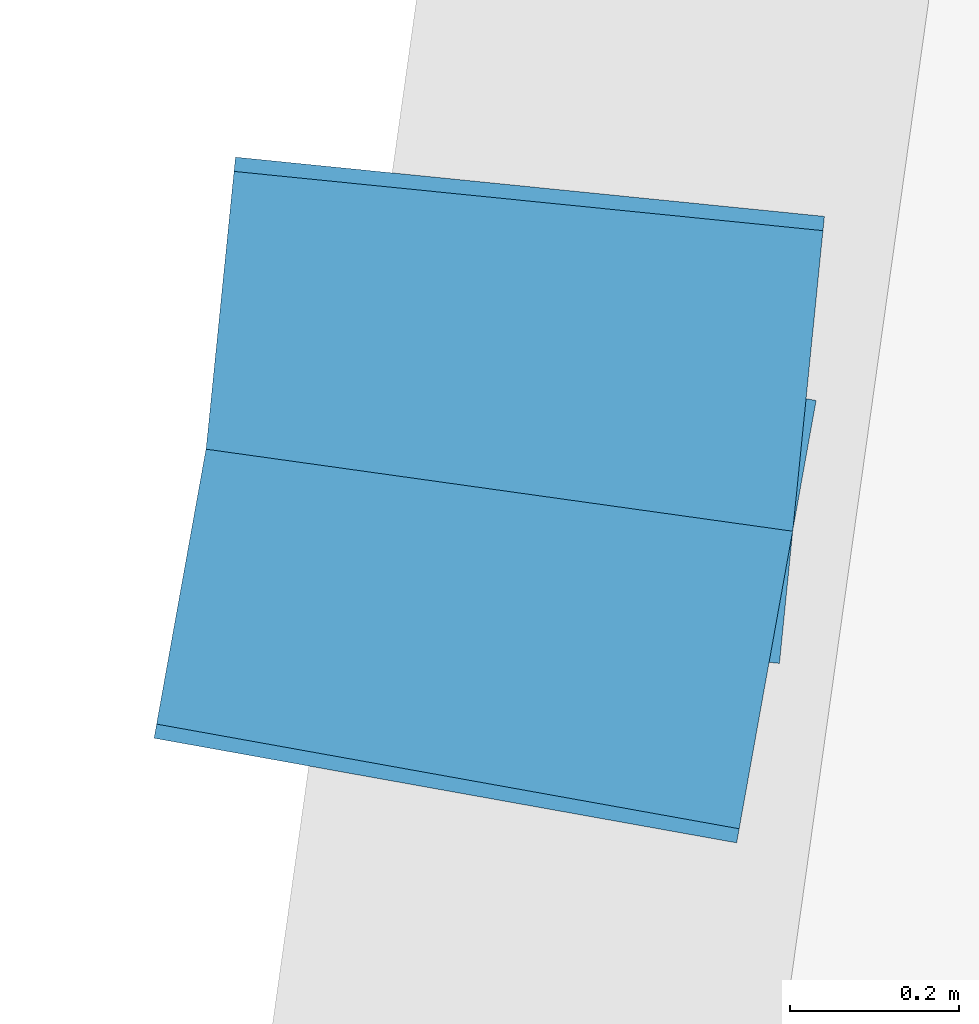
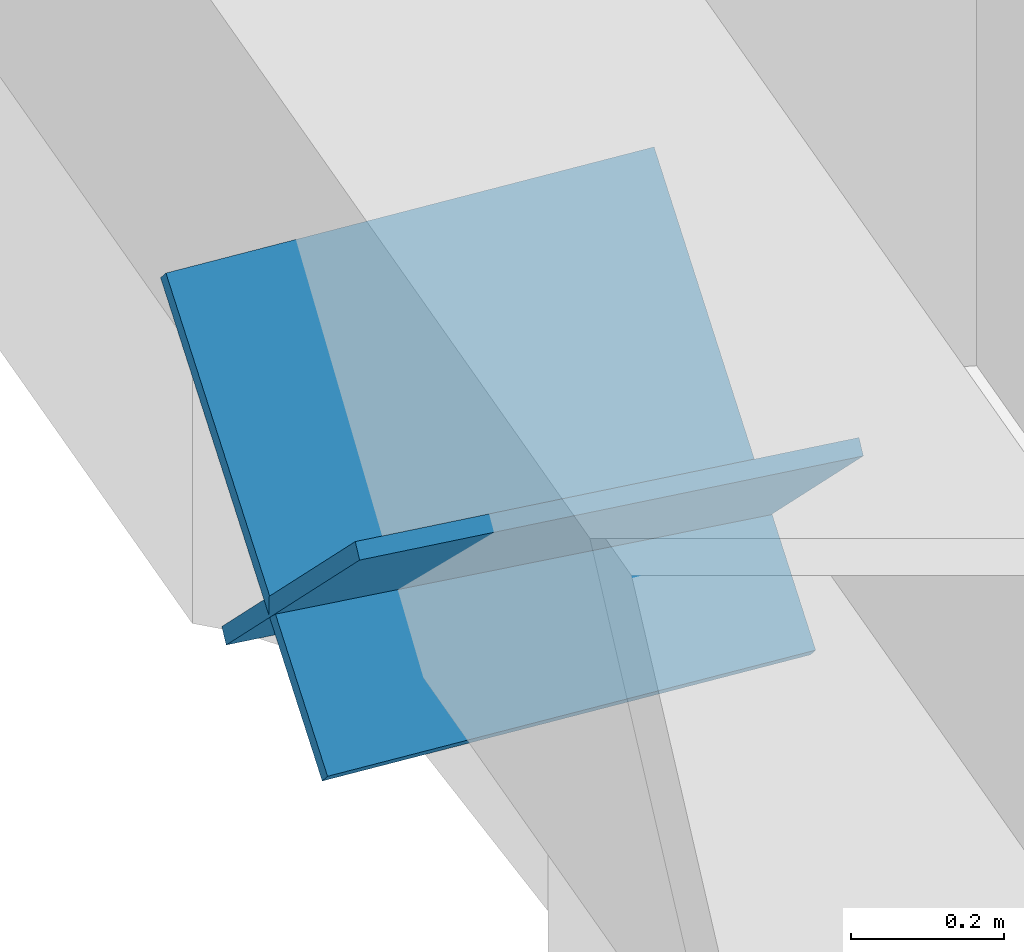
# One storey, part 24 of 29: 2 discrete accessories.
"""IFC4 building model written with IfcOpenShell, lengths in metres."""

from ifc_helpers import new_model, si_unit, direction, frame, origin, origin_2d, place, context, subcontext, project, spatial, rectangle, extrude, material, material_profile, profile_set, type_object, element, save


model = new_model("IFC4")

# Units and contexts
model_context = context("Model", 3, precision=1e-05, world=origin(), true_north=direction((0.0, 1.0)))
body_context = subcontext(model_context, "Body", "Model", "MODEL_VIEW")
ifc_project = project(units=[si_unit("LENGTHUNIT", "METRE"), si_unit("AREAUNIT", "SQUARE_METRE"), si_unit("VOLUMEUNIT", "CUBIC_METRE"), si_unit("PLANEANGLEUNIT", "RADIAN"), si_unit("MASSUNIT", "GRAM", prefix="KILO")], contexts=[model_context])

# Site, building, storey
site_placement = place(None, origin())
site = spatial("IfcSite", under=ifc_project, at=site_placement, CompositionType="ELEMENT")
building_placement = place(site_placement, origin())
building = spatial("IfcBuilding", under=site, at=building_placement, Name="Mirante Cascada Hotel Towers", CompositionType="ELEMENT")
storey_placement = place(building_placement, frame((0.0, 0.0, 206.8)))
storey = spatial("IfcBuildingStorey", under=building, at=storey_placement, Name="L49", CompositionType="ELEMENT", Elevation=206.8)

# Discrete accessories
ifc_material = material(Name="Steel ASTM A572 Gr 50", Category="steel")
ifc_material_profile = material_profile(ifc_material, rectangle(XDim=0.7, YDim=0.7, at=origin_2d()), Name="Connection plate 700x700x25 ASTM A572 Gr 50")
ifc_profile_set = profile_set([ifc_material_profile], Name="Steel ASTM A572 Gr 50")
discrete_accessory_type = type_object("IfcDiscreteAccessoryType", Name="Connection plate 700x700x25 ASTM A572 Gr 50", PredefinedType="BRACKET", material=ifc_profile_set)
for number, where, z_axis, x_axis, name in (
    (1, (-84.685, 5.581, 0.8537), (0.119861, 0.6672265, 0.7351477), (-0.9842449, 0.1768105, 0.0), "Connection plate MB-OL43L"),
    (2, (-84.6562, 5.7859, 0.8537), (-0.0678882, -0.6748887, 0.7347901), (0.9949787, -0.1000866, 0.0), "Connection plate MB-OL43R"),
):
    element("IfcDiscreteAccessory", number, at=place(storey_placement, frame(where, z_axis=z_axis, x_axis=x_axis)), inside=storey, type_object=discrete_accessory_type, Name=name, PredefinedType="BRACKET", context=body_context, shape_type="SweptSolid", body=[
        extrude(rectangle(XDim=0.7, YDim=0.7, at=origin_2d()), origin(), (0.0, 0.0, 1.0), 0.025),
    ])

save(model, "model.ifc")
